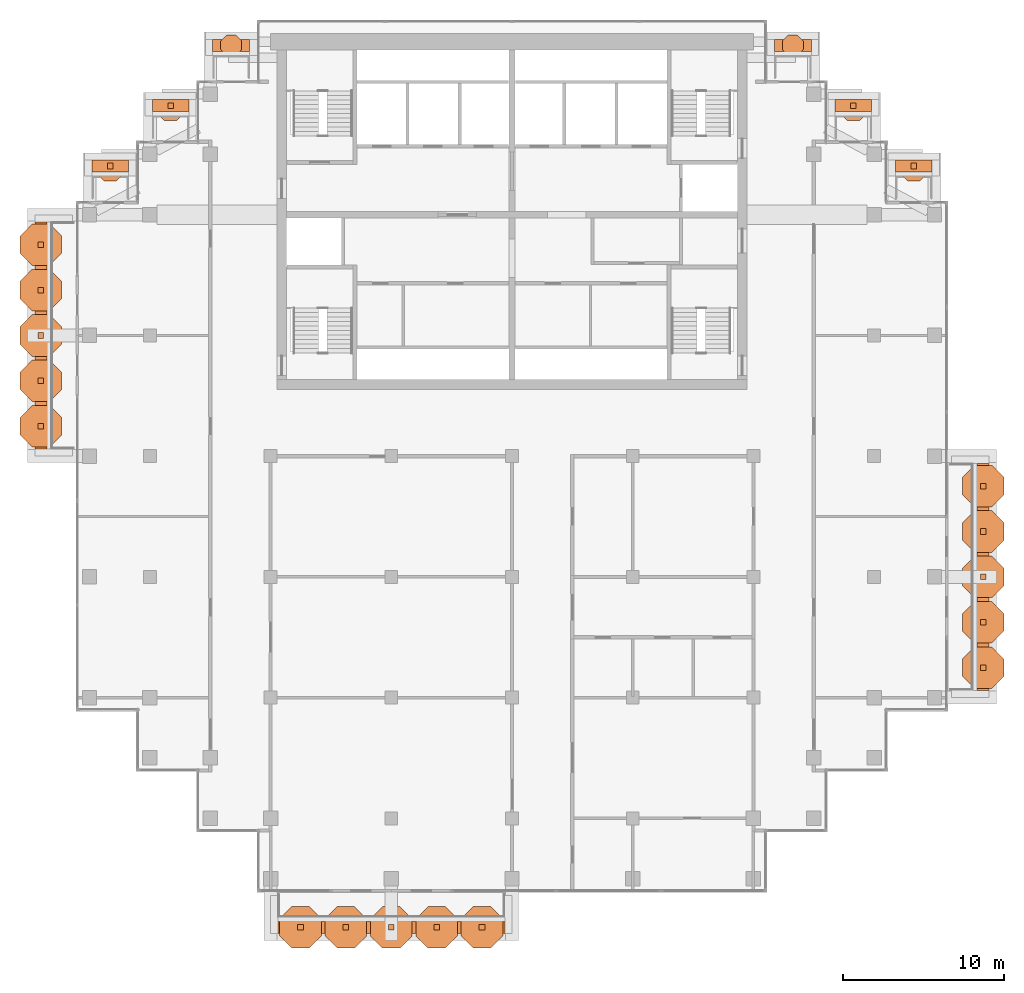
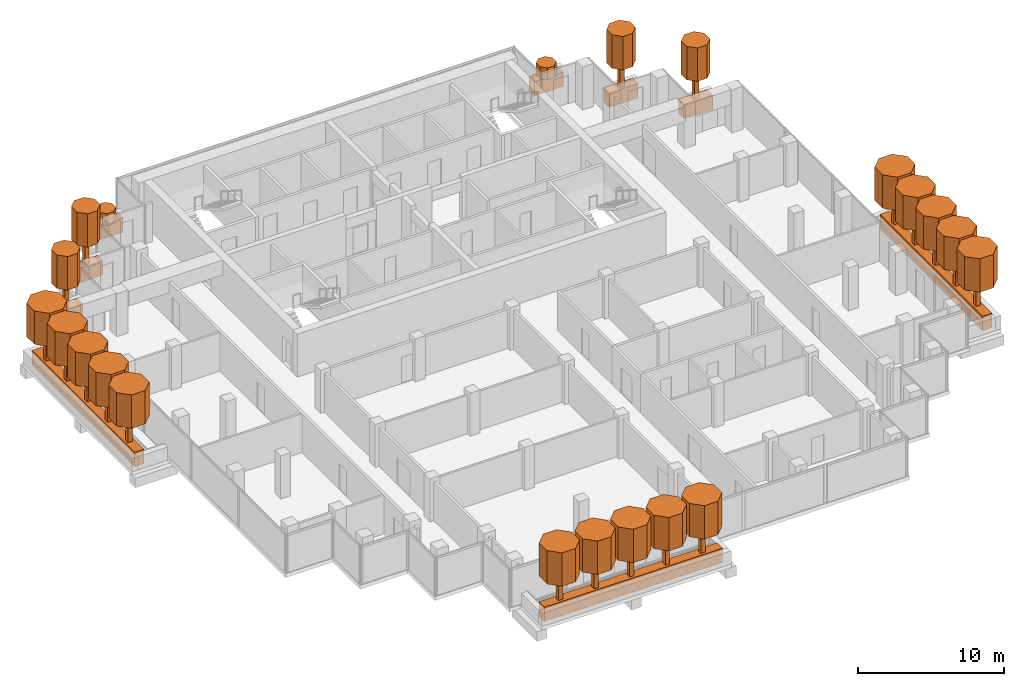
# One storey, part 18 of 18: 49 geographic elements.
"""IFC4 building model written with IfcOpenShell, lengths in metres."""

from ifc_helpers import new_model, si_unit, direction, frame, origin, origin_2d, place, context, subcontext, project, spatial, polyline, rectangle, outline, extrude, material, material_profile, profile_set, type_object, element, save


model = new_model("IFC4")

# Units and contexts
model_context = context("Model", 3, precision=1e-05, world=origin(), true_north=direction((0.0, 1.0)))
body_context = subcontext(model_context, "Body", "Model", "MODEL_VIEW")
ifc_project = project(units=[si_unit("LENGTHUNIT", "METRE"), si_unit("AREAUNIT", "SQUARE_METRE"), si_unit("VOLUMEUNIT", "CUBIC_METRE"), si_unit("PLANEANGLEUNIT", "RADIAN"), si_unit("MASSUNIT", "GRAM", prefix="KILO")], contexts=[model_context])

# Site, building, storey
site_placement = place(None, origin())
site = spatial("IfcSite", under=ifc_project, at=site_placement, CompositionType="ELEMENT")
building_placement = place(site_placement, origin())
building = spatial("IfcBuilding", under=site, at=building_placement, Name="Pilkhan Gate Tower", CompositionType="ELEMENT")
storey_placement = place(building_placement, frame((0.0, 0.0, 249.89990234375)))
storey = spatial("IfcBuildingStorey", under=building, at=storey_placement, Name="L65", CompositionType="ELEMENT", Elevation=249.89990234375)

# Geographic elements
ifc_material_1 = material(Name="Foliage")
ifc_material_profile_1 = material_profile(ifc_material_1, rectangle(XDim=0.75, YDim=1.199951171875, at=origin_2d()), Name="Bed 750x1200")
ifc_profile_set_1 = profile_set([ifc_material_profile_1], Name="Foliage")
geographic_element_type_1 = type_object("IfcGeographicElementType", Name="Planting bed PB1", PredefinedType="USERDEFINED", material=ifc_profile_set_1)
for number, where, z_axis, x_axis, name in (
    (1, (60.449951171875, 38.22509765625, 0.60009765625), (1.0, 0.0, 0.0), (0.0, 1.0, 0.0), "Balcony L65 S planting bed"),
    (2, (104.27490234375, 52.949951171875, 0.60009765625), (0.0, 1.0, 0.0), (-1.0, 0.0, 0.0), "Balcony L65 E planting bed"),
):
    element("IfcGeographicElement", number, at=place(storey_placement, frame(where, z_axis=z_axis, x_axis=x_axis)), inside=storey, type_object=geographic_element_type_1, Name=name, ObjectType="PLANTING BED", PredefinedType="USERDEFINED", context=body_context, shape_type="SweptSolid", body=[
        extrude(rectangle(XDim=0.75, YDim=1.199951171875, at=origin_2d()), origin(), (0.0, 0.0, 1.0), 14.10009765625),
    ])
for number, where, z_axis, x_axis, name in (
    (3, (56.39990234375, 93.02490234375, 0.60009765625), (1.0, 0.0, 0.0), (0.0, 1.0, 0.0), "Balcony L65 N planting bed"),
    (4, (91.300048828125, 93.02490234375, 0.60009765625), (1.0, 0.0, 0.0), (0.0, 1.0, 0.0), "Balcony L65 N planting bed"),
):
    element("IfcGeographicElement", number, at=place(storey_placement, frame(where, z_axis=z_axis, x_axis=x_axis)), inside=storey, type_object=geographic_element_type_1, Name=name, ObjectType="PLANTING BED", PredefinedType="USERDEFINED", context=body_context, shape_type="SweptSolid", body=[
        extrude(rectangle(XDim=0.75, YDim=1.199951171875, at=origin_2d()), origin(), (0.0, 0.0, 1.0), 2.300048828125),
    ])
for number, where, z_axis, x_axis, name in (
    (5, (52.64990234375, 89.27490234375, 0.60009765625), (1.0, 0.0, 0.0), (0.0, 1.0, 0.0), "Balcony L65 N planting bed"),
    (6, (48.89990234375, 85.52490234375, 0.60009765625), (1.0, 0.0, 0.0), (0.0, 1.0, 0.0), "Balcony L65 N planting bed"),
    (7, (95.070068359375, 89.27490234375, 0.60009765625), (1.0, 0.0, 0.0), (0.0, 1.0, 0.0), "Balcony L65 N planting bed"),
    (8, (98.820068359375, 85.52490234375, 0.60009765625), (1.0, 0.0, 0.0), (0.0, 1.0, 0.0), "Balcony L65 N planting bed"),
):
    element("IfcGeographicElement", number, at=place(storey_placement, frame(where, z_axis=z_axis, x_axis=x_axis)), inside=storey, type_object=geographic_element_type_1, Name=name, ObjectType="PLANTING BED", PredefinedType="USERDEFINED", context=body_context, shape_type="SweptSolid", body=[
        extrude(rectangle(XDim=0.75, YDim=1.199951171875, at=origin_2d()), origin(), (0.0, 0.0, 1.0), 2.280029296875),
    ])
geographic_element_placement = place(storey_placement, frame((45.72509765625, 67.949951171875, 0.60009765625), z_axis=(0.0, 1.0, 0.0), x_axis=(-1.0, 0.0, 0.0)))
element("IfcGeographicElement", 9, at=geographic_element_placement, inside=storey, type_object=geographic_element_type_1, Name="Balcony L65 W planting bed", ObjectType="PLANTING BED", PredefinedType="USERDEFINED", context=body_context, shape_type="SweptSolid", body=[
    extrude(rectangle(XDim=0.75, YDim=1.199951171875, at=origin_2d()), origin(), (0.0, 0.0, 1.0), 14.10009765625),
])
ifc_material_profile_2 = material_profile(ifc_material_1, outline(polyline([(0.646728515625, 0.267822265625), (0.267822265625, 0.646728515625), (-0.267822265625, 0.646728515625), (-0.646728515625, 0.267822265625), (-0.646728515625, -0.267822265625), (-0.267822265625, -0.646728515625), (0.267822265625, -0.646728515625), (0.646728515625, -0.267822265625), (0.646728515625, 0.267822265625)])), Name="Shrub D1.4")
ifc_profile_set_2 = profile_set([ifc_material_profile_2], Name="Foliage")
geographic_element_type_2 = type_object("IfcGeographicElementType", Name="Shrub SH07", PredefinedType="USERDEFINED", material=ifc_profile_set_2)
for number, where, z_axis, x_axis, name in (
    (10, (57.550048828125, 93.02490234375, 1.2001953125), (0.0, 0.0, 1.0), (1.0, 0.0, 0.0), "Shrub L65 N 1"),
    (11, (92.449951171875, 93.02490234375, 1.2001953125), (0.0, 0.0, 1.0), (1.0, 0.0, 0.0), "Shrub L65 N 1"),
):
    element("IfcGeographicElement", number, at=place(storey_placement, frame(where, z_axis=z_axis, x_axis=x_axis)), inside=storey, type_object=geographic_element_type_2, Name=name, ObjectType="SHRUB", PredefinedType="USERDEFINED", context=body_context, shape_type="SweptSolid", body=[
        extrude(outline(polyline([(0.646728515625, 0.267822265625), (0.267822265625, 0.646728515625), (-0.267822265625, 0.646728515625), (-0.646728515625, 0.267822265625), (-0.646728515625, -0.267822265625), (-0.267822265625, -0.646728515625), (0.267822265625, -0.646728515625), (0.646728515625, -0.267822265625), (0.646728515625, 0.267822265625)])), origin(), (0.0, 0.0, 1.0), 1.0),
    ])
ifc_material_profile_3 = material_profile(ifc_material_1, outline(polyline([(0.923828125, 0.3828125), (0.3828125, 0.923828125), (-0.3828125, 0.923828125), (-0.923828125, 0.3828125), (-0.923828125, -0.3828125), (-0.3828125, -0.923828125), (0.3828125, -0.923828125), (0.923828125, -0.3828125), (0.923828125, 0.3828125)])), Name="Canopy D2.0")
ifc_profile_set_3 = profile_set([ifc_material_profile_3], Name="Foliage")
geographic_element_type_3 = type_object("IfcGeographicElementType", Name="Tree canopy TC10", PredefinedType="USERDEFINED", material=ifc_profile_set_3)
for number, where, z_axis, x_axis, name in (
    (12, (53.7900390625, 89.27490234375, 3.2001953125), (0.0, 0.0, 1.0), (1.0, 0.0, 0.0), "Tree L65 N 1 canopy"),
    (13, (50.0400390625, 85.52490234375, 3.2001953125), (0.0, 0.0, 1.0), (1.0, 0.0, 0.0), "Tree L65 N 1 canopy"),
    (14, (96.2099609375, 89.27490234375, 3.2001953125), (0.0, 0.0, 1.0), (1.0, 0.0, 0.0), "Tree L65 N 1 canopy"),
    (15, (99.9599609375, 85.52490234375, 3.2001953125), (0.0, 0.0, 1.0), (1.0, 0.0, 0.0), "Tree L65 N 1 canopy"),
):
    element("IfcGeographicElement", number, at=place(storey_placement, frame(where, z_axis=z_axis, x_axis=x_axis)), inside=storey, type_object=geographic_element_type_3, Name=name, ObjectType="TREE", PredefinedType="USERDEFINED", context=body_context, shape_type="SweptSolid", body=[
        extrude(outline(polyline([(0.923828125, 0.3828125), (0.3828125, 0.923828125), (-0.3828125, 0.923828125), (-0.923828125, 0.3828125), (-0.923828125, -0.3828125), (-0.3828125, -0.923828125), (0.3828125, -0.923828125), (0.923828125, -0.3828125), (0.923828125, 0.3828125)])), origin(), (0.0, 0.0, 1.0), 2.7998046875),
    ])
ifc_material_profile_4 = material_profile(ifc_material_1, outline(polyline([(1.29345703125, 0.535888671875), (0.535888671875, 1.29345703125), (-0.535888671875, 1.29345703125), (-1.29345703125, 0.535888671875), (-1.29345703125, -0.535888671875), (-0.535888671875, -1.29345703125), (0.535888671875, -1.29345703125), (1.29345703125, -0.535888671875), (1.29345703125, 0.535888671875)])), Name="Canopy D2.8")
ifc_profile_set_4 = profile_set([ifc_material_profile_4], Name="Foliage")
geographic_element_type_4 = type_object("IfcGeographicElementType", Name="Tree canopy TC14", PredefinedType="USERDEFINED", material=ifc_profile_set_4)
for number, where, z_axis, x_axis, name in (
    (16, (61.860107421875, 38.22509765625, 3.2001953125), (0.0, 0.0, 1.0), (1.0, 0.0, 0.0), "Tree L65 S 1 canopy"),
    (17, (64.679931640625, 38.22509765625, 3.2001953125), (0.0, 0.0, 1.0), (1.0, 0.0, 0.0), "Tree L65 S 2 canopy"),
    (18, (67.5, 38.22509765625, 3.2001953125), (0.0, 0.0, 1.0), (1.0, 0.0, 0.0), "Tree L65 S 3 canopy"),
    (19, (70.320068359375, 38.22509765625, 3.2001953125), (0.0, 0.0, 1.0), (1.0, 0.0, 0.0), "Tree L65 S 4 canopy"),
    (20, (73.139892578125, 38.22509765625, 3.2001953125), (0.0, 0.0, 1.0), (1.0, 0.0, 0.0), "Tree L65 S 5 canopy"),
    (21, (104.27490234375, 54.360107421875, 3.2001953125), (0.0, 0.0, 1.0), (1.0, 0.0, 0.0), "Tree L65 E 1 canopy"),
    (22, (104.27490234375, 57.179931640625, 3.2001953125), (0.0, 0.0, 1.0), (1.0, 0.0, 0.0), "Tree L65 E 2 canopy"),
    (23, (104.27490234375, 60.0, 3.2001953125), (0.0, 0.0, 1.0), (1.0, 0.0, 0.0), "Tree L65 E 3 canopy"),
    (24, (104.27490234375, 62.820068359375, 3.2001953125), (0.0, 0.0, 1.0), (1.0, 0.0, 0.0), "Tree L65 E 4 canopy"),
    (25, (104.27490234375, 65.639892578125, 3.2001953125), (0.0, 0.0, 1.0), (1.0, 0.0, 0.0), "Tree L65 E 5 canopy"),
    (26, (45.72509765625, 69.360107421875, 3.2001953125), (0.0, 0.0, 1.0), (1.0, 0.0, 0.0), "Tree L65 W 1 canopy"),
    (27, (45.72509765625, 72.179931640625, 3.2001953125), (0.0, 0.0, 1.0), (1.0, 0.0, 0.0), "Tree L65 W 2 canopy"),
    (28, (45.72509765625, 75.0, 3.2001953125), (0.0, 0.0, 1.0), (1.0, 0.0, 0.0), "Tree L65 W 3 canopy"),
    (29, (45.72509765625, 77.820068359375, 3.2001953125), (0.0, 0.0, 1.0), (1.0, 0.0, 0.0), "Tree L65 W 4 canopy"),
    (30, (45.72509765625, 80.639892578125, 3.2001953125), (0.0, 0.0, 1.0), (1.0, 0.0, 0.0), "Tree L65 W 5 canopy"),
):
    element("IfcGeographicElement", number, at=place(storey_placement, frame(where, z_axis=z_axis, x_axis=x_axis)), inside=storey, type_object=geographic_element_type_4, Name=name, ObjectType="TREE", PredefinedType="USERDEFINED", context=body_context, shape_type="SweptSolid", body=[
        extrude(outline(polyline([(1.29345703125, 0.535888671875), (0.535888671875, 1.29345703125), (-0.535888671875, 1.29345703125), (-1.29345703125, 0.535888671875), (-1.29345703125, -0.535888671875), (-0.535888671875, -1.29345703125), (0.535888671875, -1.29345703125), (1.29345703125, -0.535888671875), (1.29345703125, 0.535888671875)])), origin(), (0.0, 0.0, 1.0), 2.7998046875),
    ])
ifc_material_2 = material(Name="Timber trunk", Category="wood")
geographic_element_type_5 = type_object("IfcGeographicElementType", Name="Tree trunk TT1", PredefinedType="USERDEFINED", material=ifc_material_2)
for number, where, z_axis, x_axis, name in (
    (31, (61.860107421875, 38.22509765625, 1.2001953125), (0.0, 0.0, 1.0), (1.0, 0.0, 0.0), "Tree L65 S 1 trunk"),
    (32, (64.679931640625, 38.22509765625, 1.2001953125), (0.0, 0.0, 1.0), (1.0, 0.0, 0.0), "Tree L65 S 2 trunk"),
    (33, (67.5, 38.22509765625, 1.2001953125), (0.0, 0.0, 1.0), (1.0, 0.0, 0.0), "Tree L65 S 3 trunk"),
    (34, (70.320068359375, 38.22509765625, 1.2001953125), (0.0, 0.0, 1.0), (1.0, 0.0, 0.0), "Tree L65 S 4 trunk"),
    (35, (73.139892578125, 38.22509765625, 1.2001953125), (0.0, 0.0, 1.0), (1.0, 0.0, 0.0), "Tree L65 S 5 trunk"),
    (36, (104.27490234375, 54.360107421875, 1.2001953125), (0.0, 0.0, 1.0), (1.0, 0.0, 0.0), "Tree L65 E 1 trunk"),
    (37, (104.27490234375, 57.179931640625, 1.2001953125), (0.0, 0.0, 1.0), (1.0, 0.0, 0.0), "Tree L65 E 2 trunk"),
    (38, (104.27490234375, 60.0, 1.2001953125), (0.0, 0.0, 1.0), (1.0, 0.0, 0.0), "Tree L65 E 3 trunk"),
    (39, (104.27490234375, 62.820068359375, 1.2001953125), (0.0, 0.0, 1.0), (1.0, 0.0, 0.0), "Tree L65 E 4 trunk"),
    (40, (104.27490234375, 65.639892578125, 1.2001953125), (0.0, 0.0, 1.0), (1.0, 0.0, 0.0), "Tree L65 E 5 trunk"),
    (41, (53.7900390625, 89.27490234375, 1.2001953125), (0.0, 0.0, 1.0), (1.0, 0.0, 0.0), "Tree L65 N 1 trunk"),
    (42, (50.0400390625, 85.52490234375, 1.2001953125), (0.0, 0.0, 1.0), (1.0, 0.0, 0.0), "Tree L65 N 1 trunk"),
    (43, (96.2099609375, 89.27490234375, 1.2001953125), (0.0, 0.0, 1.0), (1.0, 0.0, 0.0), "Tree L65 N 1 trunk"),
    (44, (99.9599609375, 85.52490234375, 1.2001953125), (0.0, 0.0, 1.0), (1.0, 0.0, 0.0), "Tree L65 N 1 trunk"),
    (45, (45.72509765625, 69.360107421875, 1.2001953125), (0.0, 0.0, 1.0), (1.0, 0.0, 0.0), "Tree L65 W 1 trunk"),
    (46, (45.72509765625, 72.179931640625, 1.2001953125), (0.0, 0.0, 1.0), (1.0, 0.0, 0.0), "Tree L65 W 2 trunk"),
    (47, (45.72509765625, 75.0, 1.2001953125), (0.0, 0.0, 1.0), (1.0, 0.0, 0.0), "Tree L65 W 3 trunk"),
    (48, (45.72509765625, 77.820068359375, 1.2001953125), (0.0, 0.0, 1.0), (1.0, 0.0, 0.0), "Tree L65 W 4 trunk"),
    (49, (45.72509765625, 80.639892578125, 1.2001953125), (0.0, 0.0, 1.0), (1.0, 0.0, 0.0), "Tree L65 W 5 trunk"),
):
    element("IfcGeographicElement", number, at=place(storey_placement, frame(where, z_axis=z_axis, x_axis=x_axis)), inside=storey, type_object=geographic_element_type_5, Name=name, ObjectType="TREE", PredefinedType="USERDEFINED", context=body_context, shape_type="SweptSolid", body=[
        extrude(rectangle(XDim=0.35009765625, YDim=0.35009765625, at=origin_2d()), origin(), (0.0, 0.0, 1.0), 2.0),
    ])

save(model, "model.ifc")
